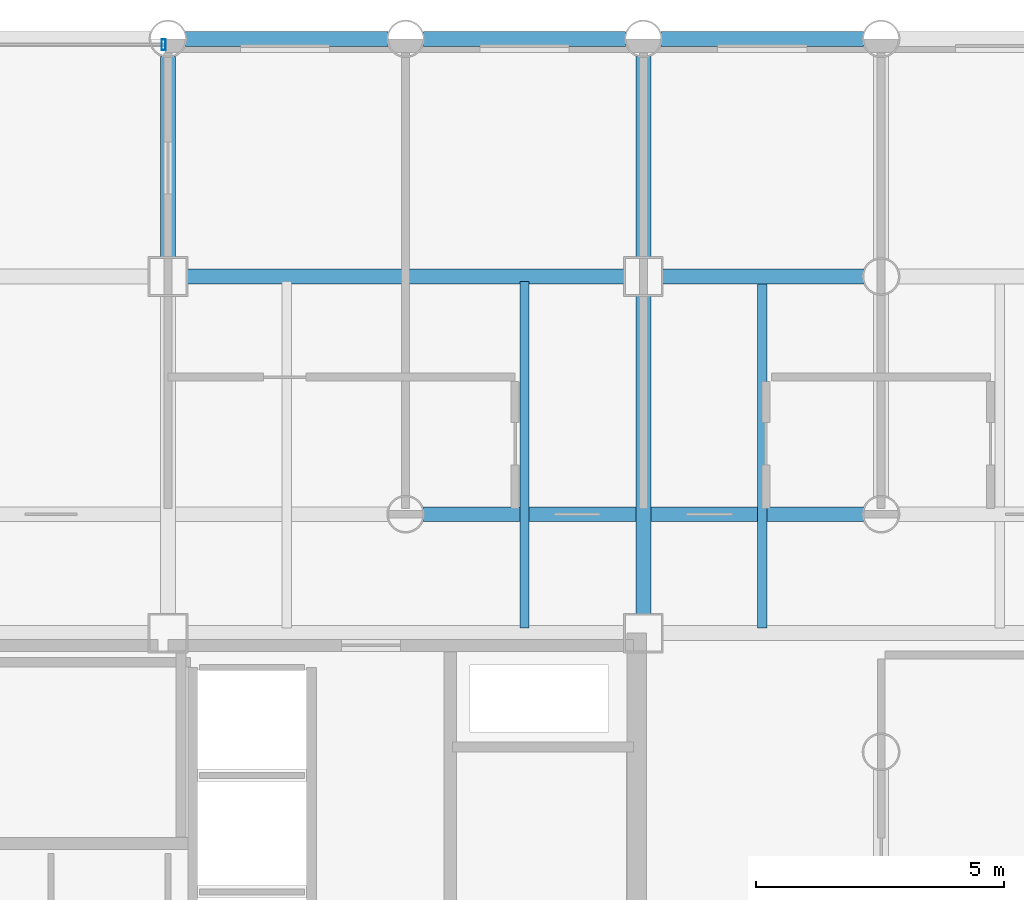
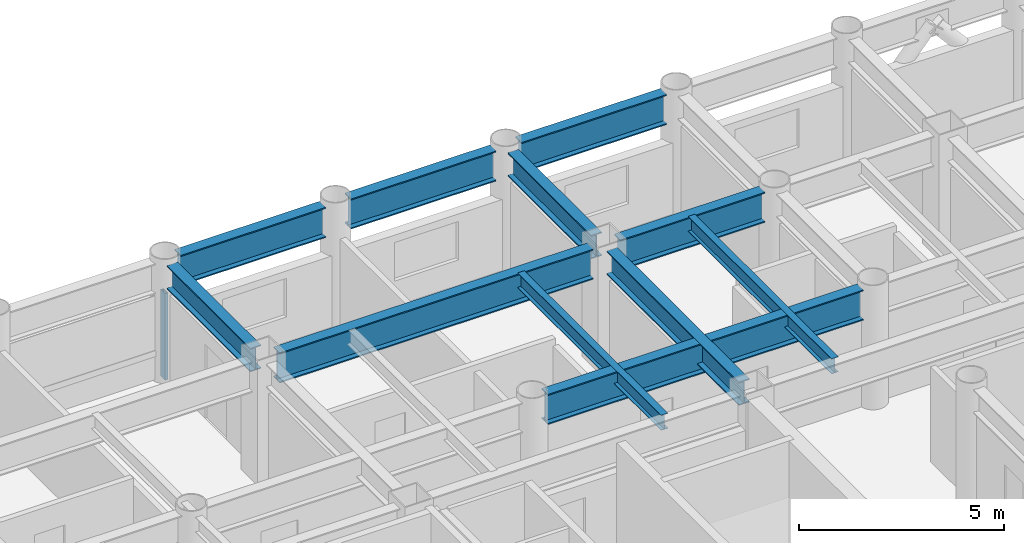
# One storey, part 12 of 20: 11 beams, 1 member, 1 element without a shape of its own.
"""IFC4 building model written with IfcOpenShell, lengths in metres."""

from ifc_helpers import new_model, si_unit, direction, frame, origin, origin_2d, place, context, subcontext, project, spatial, hollow_rectangle, i_section, extrude, material, layer, layer_set, material_profile, profile_set, type_object, element, aggregate, save


model = new_model("IFC4")

# Units and contexts
model_context = context("Model", 3, precision=1e-05, world=origin(), true_north=direction((0.0, 1.0)))
body_context = subcontext(model_context, "Body", "Model", "MODEL_VIEW")
ifc_project = project(units=[si_unit("LENGTHUNIT", "METRE"), si_unit("AREAUNIT", "SQUARE_METRE"), si_unit("VOLUMEUNIT", "CUBIC_METRE"), si_unit("PLANEANGLEUNIT", "RADIAN"), si_unit("MASSUNIT", "GRAM", prefix="KILO")], contexts=[model_context])

# Site, building, storey
site_placement = place(None, origin())
site = spatial("IfcSite", under=ifc_project, at=site_placement, CompositionType="ELEMENT")
building_placement = place(site_placement, origin())
building = spatial("IfcBuilding", under=site, at=building_placement, Name="Kallvorn Hotel Tower", CompositionType="ELEMENT")
storey_placement = place(building_placement, frame((0.0, 0.0, 74.39990234375)))
storey = spatial("IfcBuildingStorey", under=building, at=storey_placement, Name="L17", CompositionType="ELEMENT", Elevation=74.39990234375)

# Beams
ifc_material_1 = material(Name="Structural steel S355JR", Category="steel")
ifc_material_profile_1 = material_profile(ifc_material_1, i_section(OverallWidth=0.300048828125, OverallDepth=0.699951171875, WebThickness=0.01708984375, FlangeThickness=0.031982421875, at=origin_2d()), Name="HE 700 B")
ifc_profile_set_1 = profile_set([ifc_material_profile_1], Name="Structural steel S355JR")
beam_type_1 = type_object("IfcBeamType", Name="BM_HE700B", PredefinedType="BEAM", material=ifc_profile_set_1)
beam_1_placement = place(storey_placement, frame((4.800048828125, 14.77490234375, 3.170166015625), z_axis=(0.0, 1.0, 0.0), x_axis=(-1.0, 0.0, 0.0)))
element("IfcBeam", 1, at=beam_1_placement, inside=storey, type_object=beam_type_1, Name="L18 Primary Y-Girder 117", PredefinedType="BEAM", context=body_context, shape_type="SweptSolid", body=[
    extrude(i_section(OverallWidth=0.300048828125, OverallDepth=0.699951171875, WebThickness=0.01708984375, FlangeThickness=0.031982421875, at=origin_2d()), origin(), (0.0, 0.0, 1.0), 4.069091796875),
])
beam_2_placement = place(storey_placement, frame((14.39990234375, 7.574951171875, 3.170166015625), z_axis=(0.0, 1.0, 0.0), x_axis=(-1.0, 0.0, 0.0)))
element("IfcBeam", 2, at=beam_2_placement, inside=storey, type_object=beam_type_1, Name="L18 Primary Y-Girder 124", PredefinedType="BEAM", context=body_context, shape_type="SweptSolid", body=[
    extrude(i_section(OverallWidth=0.300048828125, OverallDepth=0.699951171875, WebThickness=0.01708984375, FlangeThickness=0.031982421875, at=origin_2d()), origin(), (0.0, 0.0, 1.0), 6.449951171875),
])
beam_3_placement = place(storey_placement, frame((14.39990234375, 14.77490234375, 3.170166015625), z_axis=(0.0, 1.0, 0.0), x_axis=(-1.0, 0.0, 0.0)))
element("IfcBeam", 3, at=beam_3_placement, inside=storey, type_object=beam_type_1, Name="L18 Primary Y-Girder 125", PredefinedType="BEAM", context=body_context, shape_type="SweptSolid", body=[
    extrude(i_section(OverallWidth=0.300048828125, OverallDepth=0.699951171875, WebThickness=0.01708984375, FlangeThickness=0.031982421875, at=origin_2d()), origin(), (0.0, 0.0, 1.0), 4.069091796875),
])
ifc_material_2 = material(Name="Structural steel S355JR", Category="steel")
ifc_material_profile_2 = material_profile(ifc_material_2, i_section(OverallWidth=0.300048828125, OverallDepth=0.89990234375, WebThickness=0.0185546875, FlangeThickness=0.034912109375, at=origin_2d()), Name="HE 900 B")
ifc_profile_set_2 = profile_set([ifc_material_profile_2], Name="Structural steel S355JR")
beam_type_2 = type_object("IfcBeamType", Name="BM_HE900B", PredefinedType="BEAM", material=ifc_profile_set_2)
beam_4_placement = place(storey_placement, frame((9.9560546875, 9.60009765625, 3.070068359375), z_axis=(1.0, 0.0, 0.0), x_axis=(0.0, 1.0, 0.0)))
element("IfcBeam", 4, at=beam_4_placement, inside=storey, type_object=beam_type_2, Name="L18 Primary X-Girder 47", PredefinedType="BEAM", context=body_context, shape_type="SweptSolid", body=[
    extrude(i_section(OverallWidth=0.300048828125, OverallDepth=0.89990234375, WebThickness=0.0185546875, FlangeThickness=0.034912109375, at=origin_2d()), origin(), (0.0, 0.0, 1.0), 8.887939453125),
])
beam_5_placement = place(storey_placement, frame((5.175048828125, 14.39990234375, 3.070068359375), z_axis=(1.0, 0.0, 0.0), x_axis=(0.0, 1.0, 0.0)))
element("IfcBeam", 5, at=beam_5_placement, inside=storey, type_object=beam_type_2, Name="L18 Primary X-Girder 56", PredefinedType="BEAM", context=body_context, shape_type="SweptSolid", body=[
    extrude(i_section(OverallWidth=0.300048828125, OverallDepth=0.89990234375, WebThickness=0.0185546875, FlangeThickness=0.034912109375, at=origin_2d()), origin(), (0.0, 0.0, 1.0), 8.849853515625),
])
beam_6_placement = place(storey_placement, frame((14.77490234375, 14.39990234375, 3.070068359375), z_axis=(1.0, 0.0, 0.0), x_axis=(0.0, 1.0, 0.0)))
element("IfcBeam", 6, at=beam_6_placement, inside=storey, type_object=beam_type_2, Name="L18 Primary X-Girder 57", PredefinedType="BEAM", context=body_context, shape_type="SweptSolid", body=[
    extrude(i_section(OverallWidth=0.300048828125, OverallDepth=0.89990234375, WebThickness=0.0185546875, FlangeThickness=0.034912109375, at=origin_2d()), origin(), (0.0, 0.0, 1.0), 4.069091796875),
])
for number, where, z_axis, x_axis, name in (
    (7, (5.156005859375, 19.199951171875, 3.070068359375), (1.0, 0.0, 0.0), (0.0, 1.0, 0.0), "L18 Primary X-Girder 68"),
    (8, (9.9560546875, 19.199951171875, 3.070068359375), (1.0, 0.0, 0.0), (0.0, 1.0, 0.0), "L18 Primary X-Girder 69"),
    (9, (14.756103515625, 19.199951171875, 3.070068359375), (1.0, 0.0, 0.0), (0.0, 1.0, 0.0), "L18 Primary X-Girder 70"),
):
    element("IfcBeam", number, at=place(storey_placement, frame(where, z_axis=z_axis, x_axis=x_axis)), inside=storey, type_object=beam_type_2, Name=name, PredefinedType="BEAM", context=body_context, shape_type="SweptSolid", body=[
        extrude(i_section(OverallWidth=0.300048828125, OverallDepth=0.89990234375, WebThickness=0.0185546875, FlangeThickness=0.034912109375, at=origin_2d()), origin(), (0.0, 0.0, 1.0), 4.087890625),
    ])
ifc_material_3 = material(Name="Structural steel S355JR", Category="steel")
ifc_material_profile_3 = material_profile(ifc_material_3, i_section(OverallWidth=0.18994140625, OverallDepth=0.449951171875, WebThickness=0.009521484375, FlangeThickness=0.0146484375, at=origin_2d()), Name="IPE 450")
ifc_profile_set_3 = profile_set([ifc_material_profile_3], Name="Structural steel S355JR")
beam_type_3 = type_object("IfcBeamType", Name="BM_IPE450", PredefinedType="JOIST", material=ifc_profile_set_3)
for number, where, z_axis, x_axis, name in (
    (10, (12.0, 7.300048828125, 3.295166015625), (0.0, 1.0, 0.0), (-1.0, 0.0, 0.0), "L18 Secondary Composite Joist 205"),
    (11, (16.800048828125, 7.300048828125, 3.295166015625), (0.0, 1.0, 0.0), (-1.0, 0.0, 0.0), "L18 Secondary Composite Joist 207"),
):
    element("IfcBeam", number, at=place(storey_placement, frame(where, z_axis=z_axis, x_axis=x_axis)), inside=storey, type_object=beam_type_3, Name=name, PredefinedType="JOIST", context=body_context, shape_type="SweptSolid", body=[
        extrude(i_section(OverallWidth=0.18994140625, OverallDepth=0.449951171875, WebThickness=0.009521484375, FlangeThickness=0.0146484375, at=origin_2d()), origin(), (0.0, 0.0, 1.0), 7.0),
    ])

# Curtain wall, member
ifc_material_4 = material(Name="Thermally broken black-anodised aluminium AA 6063-T6", Category="aluminium")
ifc_layer = layer(ifc_material_4, 0.199951171875)
ifc_layer_set = layer_set([ifc_layer], Name="CW_SYS_3_HOTEL_LOW")
curtain_wall_type = type_object("IfcCurtainWallType", Name="CW_SYS_3_HOTEL_LOW", PredefinedType="USERDEFINED", material=ifc_layer_set)
curtain_wall_placement = place(storey_placement, origin())
curtain_wall = element("IfcCurtainWall", 12, at=curtain_wall_placement, inside=storey, type_object=curtain_wall_type, Name="L17 Dark-Glass Curtain Wall CW-L17-NC", ObjectType="UNITISED CURTAIN WALL", PredefinedType="USERDEFINED")
ifc_material_5 = material(Name="Thermally broken black-anodised aluminium AA 6063-T6", Category="aluminium")
ifc_material_profile_4 = material_profile(ifc_material_5, hollow_rectangle(XDim=0.080078125, YDim=0.219970703125, WallThickness=0.0048828125, at=origin_2d()), Name="MUL 220x80")
ifc_profile_set_4 = profile_set([ifc_material_profile_4], Name="Thermally broken black-anodised aluminium AA 6063-T6")
member_type = type_object("IfcMemberType", Name="CW_MULLION_220x80", PredefinedType="MULLION", material=ifc_profile_set_4)
member_placement = place(storey_placement, frame((4.7099609375, 19.080078125, 0.02001953125), z_axis=(0.0, 0.0, 1.0), x_axis=(1.0, 0.0, 0.0)))
member = element("IfcMember", 13, at=member_placement, type_object=member_type, Name="CW-L17-NC Mullion 02", PredefinedType="MULLION", context=body_context, shape_type="SweptSolid", body=[
    extrude(hollow_rectangle(XDim=0.080078125, YDim=0.219970703125, WallThickness=0.0048828125, at=origin_2d()), origin(), (0.0, 0.0, 1.0), 2.580078125),
])
aggregate(curtain_wall, [member])

save(model, "model.ifc")
